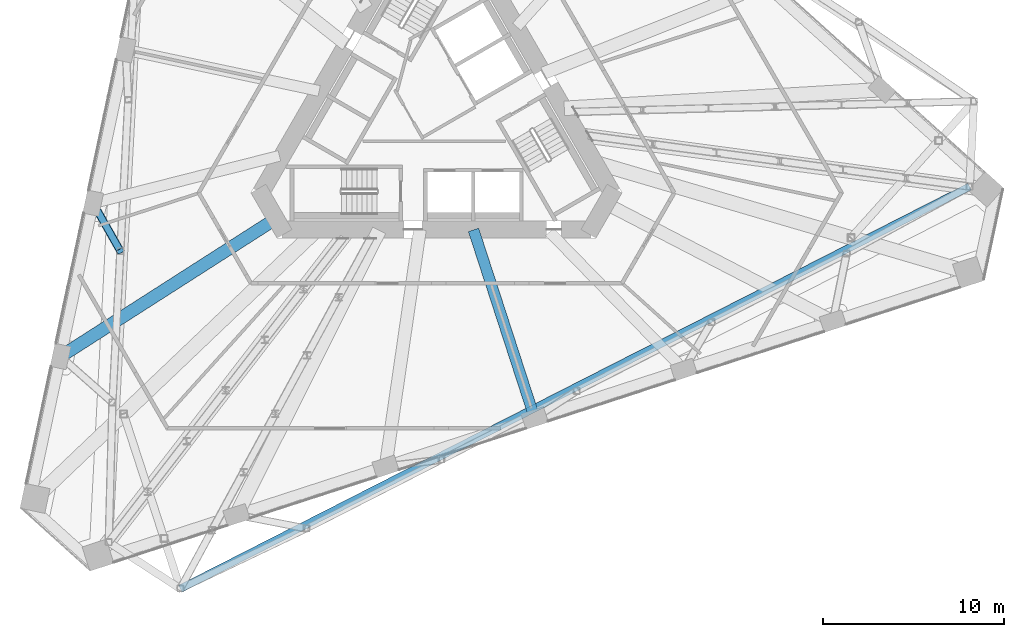
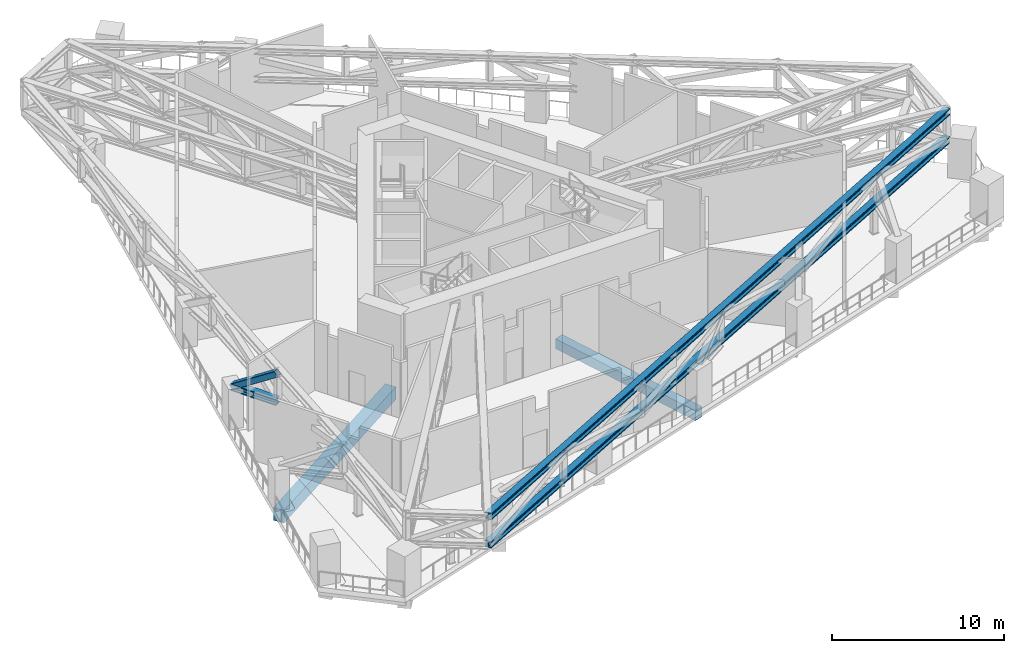
# One storey, part 5 of 24: 4 members, 2 beams.
"""IFC4 building model written with IfcOpenShell, lengths in metres."""

from ifc_helpers import new_model, si_unit, direction, frame, origin, origin_2d, place, context, subcontext, project, spatial, rectangle, hollow_rectangle, i_section, extrude, material, material_profile, profile_set, type_object, element, save


model = new_model("IFC4")

# Units and contexts
model_context = context("Model", 3, precision=1e-05, world=origin(), true_north=direction((0.0, 1.0)))
body_context = subcontext(model_context, "Body", "Model", "MODEL_VIEW")
ifc_project = project(units=[si_unit("LENGTHUNIT", "METRE"), si_unit("AREAUNIT", "SQUARE_METRE"), si_unit("VOLUMEUNIT", "CUBIC_METRE"), si_unit("PLANEANGLEUNIT", "RADIAN"), si_unit("MASSUNIT", "GRAM", prefix="KILO")], contexts=[model_context])

# Site, building, storey
site_placement = place(None, origin())
site = spatial("IfcSite", under=ifc_project, at=site_placement, CompositionType="ELEMENT")
building_placement = place(site_placement, origin())
building = spatial("IfcBuilding", under=site, at=building_placement, Name="Tramontana Tower", CompositionType="ELEMENT")
storey_placement = place(building_placement, frame((0.0, 0.0, 120.39990234375)))
storey = spatial("IfcBuildingStorey", under=building, at=storey_placement, Name="L27", CompositionType="ELEMENT", Elevation=120.39990234375)

# Members
ifc_material_1 = material(Name="Steel ASTM A992 Grade 50", Category="steel")
ifc_material_profile_1 = material_profile(ifc_material_1, i_section(OverallWidth=0.42236328125, OverallDepth=0.463623046875, WebThickness=0.04443359375, FlangeThickness=0.072998046875, FilletRadius=0.014892578125, at=origin_2d()), Name="W14X398")
ifc_profile_set_1 = profile_set([ifc_material_profile_1], Name="Steel ASTM A992 Grade 50")
member_type_1 = type_object("IfcMemberType", Name="Belt truss W14X398 chord", PredefinedType="CHORD", material=ifc_profile_set_1)
for number, where, z_axis, x_axis, name in (
    (1, (-14.1484375, -26.1201171875, 2.6318359375), (0.89100747088, 0.453988641748, 0.0), (-0.453988641748, 0.89100747088, 0.0), "Belt truss bottom chord S1"),
    (2, (-14.1484375, -26.1201171875, 4.618408203125), (0.89100747088, 0.453988641748, 0.0), (-0.453988641748, 0.89100747088, 0.0), "Belt truss top chord S1"),
):
    element("IfcMember", number, at=place(storey_placement, frame(where, z_axis=z_axis, x_axis=x_axis)), inside=storey, type_object=member_type_1, Name=name, PredefinedType="CHORD", context=body_context, shape_type="SweptSolid", body=[
        extrude(i_section(OverallWidth=0.42236328125, OverallDepth=0.463623046875, WebThickness=0.04443359375, FlangeThickness=0.072998046875, FilletRadius=0.014892578125, at=origin_2d()), origin(), (0.0, 0.0, 1.0), 48.929443359375),
    ])

# Beams
ifc_material_2 = material(Name="Concrete 40 MPa", Category="concrete")
ifc_material_profile_2 = material_profile(ifc_material_2, rectangle(XDim=0.60009765625, YDim=0.699951171875, at=origin_2d()), Name="RC GIRDER 600X700 40 MPa")
ifc_profile_set_2 = profile_set([ifc_material_profile_2], Name="Concrete 40 MPa")
beam_type_1 = type_object("IfcBeamType", Name="RC GIRDER 600X700 40 MPa", PredefinedType="BEAM", material=ifc_profile_set_2)
beam_1_placement = place(storey_placement, frame((5.423095703125, -16.69091796875, -0.699951171875), z_axis=(-0.309006757929, 0.951059842257, 0.0), x_axis=(-0.951059842257, -0.309006757929, 0.0)))
element("IfcBeam", 3, at=beam_1_placement, inside=storey, type_object=beam_type_1, Name="Radial girder C2F08 L27", PredefinedType="BEAM", context=body_context, shape_type="SweptSolid", body=[
    extrude(rectangle(XDim=0.60009765625, YDim=0.699951171875, at=origin_2d()), origin(), (0.0, 0.0, 1.0), 10.927734375),
])
ifc_material_3 = material(Name="Concrete 40 MPa", Category="concrete")
ifc_material_profile_3 = material_profile(ifc_material_3, rectangle(XDim=0.699951171875, YDim=0.89990234375, at=origin_2d()), Name="RC GIRDER 700X900 40 MPa")
ifc_profile_set_3 = profile_set([ifc_material_profile_3], Name="Concrete 40 MPa")
beam_type_2 = type_object("IfcBeamType", Name="RC GIRDER 700X900 40 MPa", PredefinedType="BEAM", material=ifc_profile_set_3)
beam_2_placement = place(storey_placement, frame((-20.767578125, -13.293212890625, -0.7998046875), z_axis=(0.842236860049, 0.539107662323, 0.0), x_axis=(-0.539107662323, 0.842236860049, 0.0)))
element("IfcBeam", 4, at=beam_2_placement, inside=storey, type_object=beam_type_2, Name="Radial girder C2F05 L27", PredefinedType="BEAM", context=body_context, shape_type="SweptSolid", body=[
    extrude(rectangle(XDim=0.699951171875, YDim=0.89990234375, at=origin_2d()), origin(), (0.0, 0.0, 1.0), 14.12109375),
])

# Members
ifc_material_4 = material(Name="Steel ASTM A500 Grade C", Category="steel")
ifc_material_profile_4 = material_profile(ifc_material_4, hollow_rectangle(XDim=0.406494140625, YDim=0.406494140625, WallThickness=0.0146484375, InnerFilletRadius=0.0146484375, OuterFilletRadius=0.029541015625, at=origin_2d()), Name="HSS16X16X5/8")
ifc_profile_set_4 = profile_set([ifc_material_profile_4], Name="Steel ASTM A500 Grade C")
member_type_2 = type_object("IfcMemberType", Name="Transfer truss HSS16X16X5/8 brace", PredefinedType="BRACE", material=ifc_profile_set_4)
member_1_placement = place(storey_placement, frame((-18.967041015625, -4.822265625, 2.6318359375), z_axis=(0.41343835249, -0.728103037149, 0.546749207575), x_axis=(0.869588135154, 0.493777758915, 0.0)))
element("IfcMember", 5, at=member_1_placement, inside=storey, type_object=member_type_2, Name="Transfer truss strut C3F04 diagonal", PredefinedType="BRACE", context=body_context, shape_type="SweptSolid", body=[
    extrude(hollow_rectangle(XDim=0.406494140625, YDim=0.406494140625, WallThickness=0.0146484375, InnerFilletRadius=0.0146484375, OuterFilletRadius=0.029541015625, at=origin_2d()), origin(), (0.0, 0.0, 1.0), 3.633544921875),
])
ifc_material_5 = material(Name="Steel ASTM A992 Grade 50", Category="steel")
ifc_material_profile_5 = material_profile(ifc_material_5, i_section(OverallWidth=0.42236328125, OverallDepth=0.463623046875, WebThickness=0.04443359375, FlangeThickness=0.072998046875, FilletRadius=0.014892578125, at=origin_2d()), Name="W14X398")
ifc_profile_set_5 = profile_set([ifc_material_profile_5], Name="Steel ASTM A992 Grade 50")
member_type_3 = type_object("IfcMemberType", Name="Transfer truss W14X398 strut", PredefinedType="STRUT", material=ifc_profile_set_5)
member_2_placement = place(storey_placement, frame((-18.967041015625, -4.822265625, 2.6318359375), z_axis=(0.493777758915, -0.869588135154, 0.0), x_axis=(0.869588135154, 0.493777758915, 0.0)))
element("IfcMember", 6, at=member_2_placement, inside=storey, type_object=member_type_3, Name="Transfer truss strut C3F04 bottom", PredefinedType="STRUT", context=body_context, shape_type="SweptSolid", body=[
    extrude(i_section(OverallWidth=0.42236328125, OverallDepth=0.463623046875, WebThickness=0.04443359375, FlangeThickness=0.072998046875, FilletRadius=0.014892578125, at=origin_2d()), origin(), (0.0, 0.0, 1.0), 3.042236328125),
])

save(model, "model.ifc")
